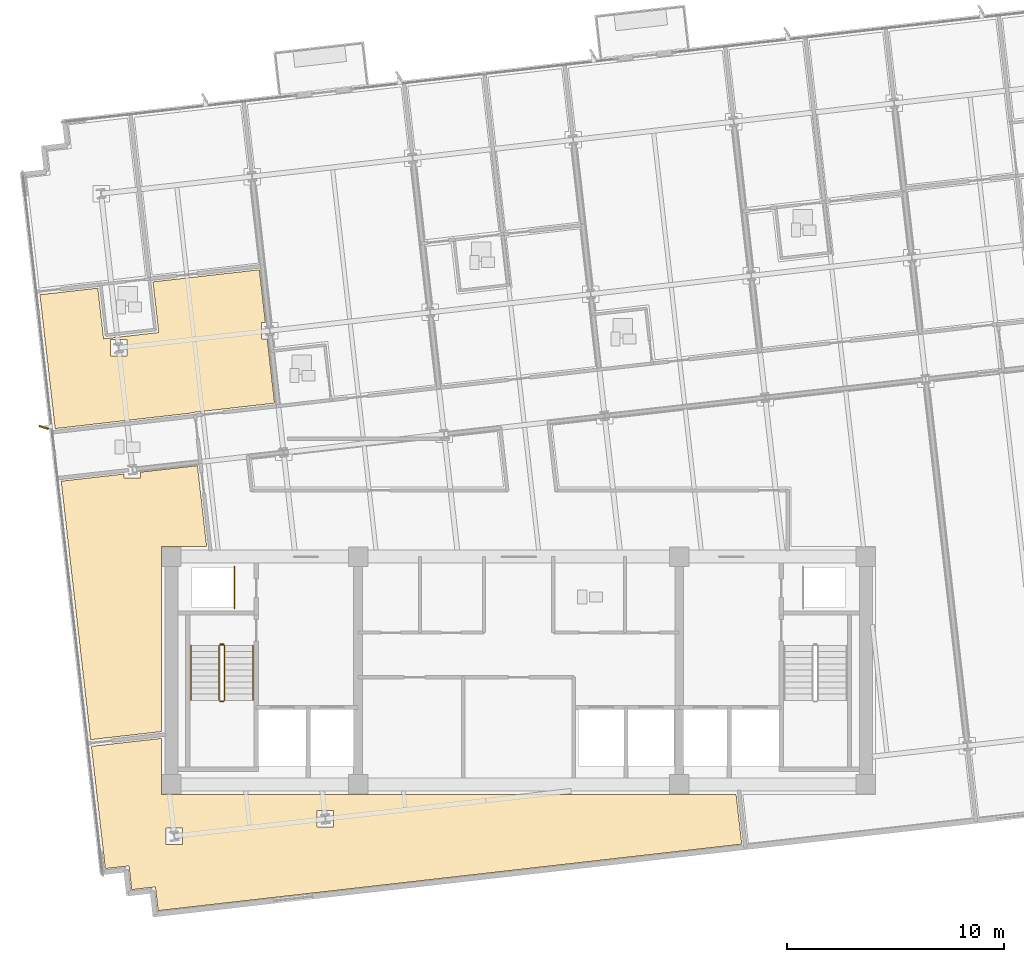
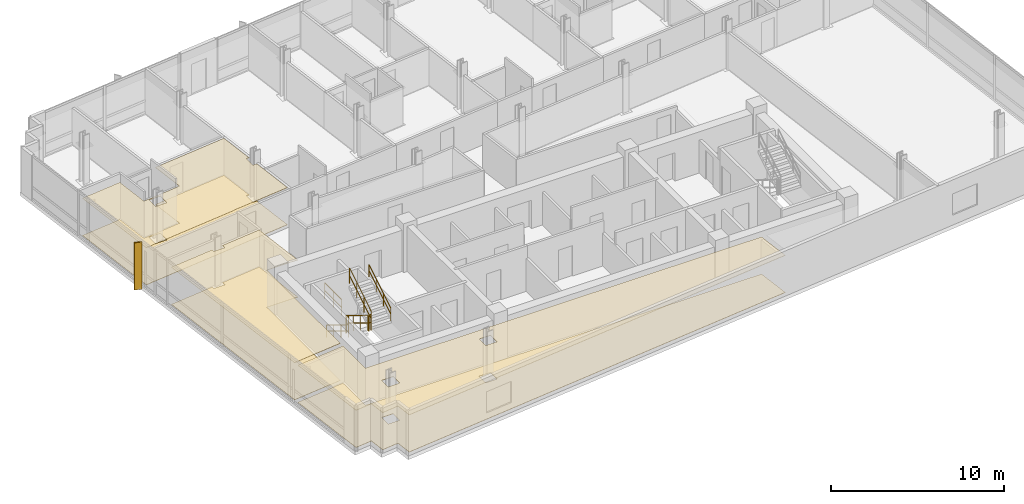
# One storey, part 13 of 17: 7 railings, 6 coverings, 1 shading device.
"""IFC4 building model written with IfcOpenShell, lengths in metres."""

from ifc_helpers import new_model, si_unit, direction, frame, origin, origin_2d, place, context, subcontext, project, spatial, polyline, rectangle, circle, outline, extrude, material, layer, layer_set, type_object, element, save


model = new_model("IFC4")

# Units and contexts
model_context = context("Model", 3, precision=1e-05, world=origin(), true_north=direction((0.0, 1.0)))
body_context = subcontext(model_context, "Body", "Model", "MODEL_VIEW")
ifc_project = project(units=[si_unit("LENGTHUNIT", "METRE"), si_unit("AREAUNIT", "SQUARE_METRE"), si_unit("VOLUMEUNIT", "CUBIC_METRE"), si_unit("PLANEANGLEUNIT", "RADIAN"), si_unit("MASSUNIT", "GRAM", prefix="KILO")], contexts=[model_context])

# Site, building, storey
site_placement = place(None, origin())
site = spatial("IfcSite", under=ifc_project, at=site_placement, CompositionType="ELEMENT")
building_placement = place(site_placement, origin())
building = spatial("IfcBuilding", under=site, at=building_placement, Name="Solmavex Isthmus Hotel", CompositionType="ELEMENT")
storey_placement = place(building_placement, frame((0.0, 0.0, 202.050048828125)))
storey = spatial("IfcBuildingStorey", under=building, at=storey_placement, Name="L54", CompositionType="ELEMENT", Elevation=202.050048828125)

# Coverings
ifc_material_1 = material(Name="Gypsum plasterboard lining", Category="gypsum")
ifc_layer_1 = layer(ifc_material_1, 0.030029296875)
ifc_layer_set_1 = layer_set([ifc_layer_1], Name="Gypsum plasterboard lining")
covering_type_1 = type_object("IfcCoveringType", Name="COV-CEIL-GYP", PredefinedType="CEILING", material=ifc_layer_set_1)
covering_1_placement = place(storey_placement, frame((0.0, 0.0, 2.619873046875)))
element("IfcCovering", 1, at=covering_1_placement, inside=storey, type_object=covering_type_1, Name="Suspended Acoustic Ceiling L54-SH01-LV", PredefinedType="CEILING", context=body_context, shape_type="SweptSolid", body=[
    extrude(outline(polyline([(-15.079833984375, 4.11669921875), (-15.08203125, 4.136474609375), (-11.2490234375, 4.5732421875), (-11.586181640625, 7.532470703125), (-11.853271484375, 7.532470703125), (-11.853271484375, 8.29248046875), (-11.672607421875, 8.29248046875), (-11.949462890625, 10.721435546875), (-16.851806640625, 10.1630859375), (-16.585693359375, 7.828125), (-19.129150390625, 7.538330078125), (-19.395263671875, 9.873291015625), (-22.06201171875, 9.5693359375), (-21.359130859375, 3.4013671875), (-15.079833984375, 4.11669921875)]), holes=[polyline([(-18.81640625, 6.739013671875), (-18.81640625, 7.4990234375), (-18.056396484375, 7.4990234375), (-18.056396484375, 6.739013671875), (-18.81640625, 6.739013671875)])]), origin(), (0.0, 0.0, 1.0), 0.030029296875),
])
covering_2_placement = place(storey_placement, frame((0.0, 0.0, 2.619873046875)))
element("IfcCovering", 2, at=covering_2_placement, inside=storey, type_object=covering_type_1, Name="Suspended Acoustic Ceiling L54-FL10", PredefinedType="CEILING", context=body_context, shape_type="SweptSolid", body=[
    extrude(outline(polyline([(-17.4169921875, 1.39453125), (-17.4169921875, 1.12744140625), (-18.177001953125, 1.12744140625), (-18.177001953125, 1.30810546875), (-21.0830078125, 0.97705078125), (-20.41015625, -4.929931640625), (-19.725830078125, -10.93603515625), (-16.455078125, -10.563232421875), (-16.455078125, -2.044921875), (-14.3779296875, -2.044921875), (-14.8037109375, 1.6923828125), (-17.4169921875, 1.39453125)])), origin(), (0.0, 0.0, 1.0), 0.030029296875),
])
covering_3_placement = place(storey_placement, frame((0.0, 0.0, 2.619873046875)))
element("IfcCovering", 3, at=covering_3_placement, inside=storey, type_object=covering_type_1, Name="Suspended Acoustic Ceiling L54-FL11", PredefinedType="CEILING", context=body_context, shape_type="SweptSolid", body=[
    extrude(outline(polyline([(-8.533203125, -17.8935546875), (10.2822265625, -15.75), (10.245361328125, -15.427001953125), (10.020751953125, -13.455078125), (-16.455078125, -13.455078125), (-16.455078125, -10.875244140625), (-19.690673828125, -11.243896484375), (-19.14208984375, -16.057861328125), (-19.048828125, -16.87744140625), (-17.955810546875, -16.7529296875), (-17.831298828125, -17.845947265625), (-16.73828125, -17.721435546875), (-16.61376953125, -18.814453125), (-15.794189453125, -18.720947265625), (-8.533203125, -17.8935546875)]), holes=[polyline([(-9.28955078125, -14.969970703125), (-9.28955078125, -14.2099609375), (-8.529541015625, -14.2099609375), (-8.529541015625, -14.969970703125), (-9.28955078125, -14.969970703125)]), polyline([(-16.25244140625, -15.763427734375), (-16.25244140625, -15.00341796875), (-15.492431640625, -15.00341796875), (-15.492431640625, -15.763427734375), (-16.25244140625, -15.763427734375)])]), origin(), (0.0, 0.0, 1.0), 0.030029296875),
])
ifc_material_2 = material(Name="Travertine natural stone", Category="masonry")
ifc_layer_2 = layer(ifc_material_2, 0.02490234375)
ifc_layer_set_2 = layer_set([ifc_layer_2], Name="Travertine natural stone")
covering_type_2 = type_object("IfcCoveringType", Name="COV-FLOR-STN", PredefinedType="FLOORING", material=ifc_layer_set_2)
covering_4_placement = place(storey_placement, origin())
element("IfcCovering", 4, at=covering_4_placement, inside=storey, type_object=covering_type_2, Name="Stone and Timber Floor Finish L54-SH01-LV", PredefinedType="FLOORING", context=body_context, shape_type="SweptSolid", body=[
    extrude(outline(polyline([(-15.079833984375, 4.11669921875), (-15.08203125, 4.136474609375), (-11.2490234375, 4.5732421875), (-11.586181640625, 7.532470703125), (-11.853271484375, 7.532470703125), (-11.853271484375, 8.29248046875), (-11.672607421875, 8.29248046875), (-11.949462890625, 10.721435546875), (-16.851806640625, 10.1630859375), (-16.585693359375, 7.828125), (-19.129150390625, 7.538330078125), (-19.395263671875, 9.873291015625), (-22.06201171875, 9.5693359375), (-21.359130859375, 3.4013671875), (-15.079833984375, 4.11669921875)]), holes=[polyline([(-18.81640625, 6.739013671875), (-18.81640625, 7.4990234375), (-18.056396484375, 7.4990234375), (-18.056396484375, 6.739013671875), (-18.81640625, 6.739013671875)])]), origin(), (0.0, 0.0, 1.0), 0.02490234375),
])
covering_5_placement = place(storey_placement, origin())
element("IfcCovering", 5, at=covering_5_placement, inside=storey, type_object=covering_type_2, Name="Stone and Timber Floor Finish L54-FL10", PredefinedType="FLOORING", context=body_context, shape_type="SweptSolid", body=[
    extrude(outline(polyline([(-17.4169921875, 1.39453125), (-17.4169921875, 1.12744140625), (-18.177001953125, 1.12744140625), (-18.177001953125, 1.30810546875), (-21.0830078125, 0.97705078125), (-20.41015625, -4.929931640625), (-19.725830078125, -10.93603515625), (-16.455078125, -10.563232421875), (-16.455078125, -2.044921875), (-14.3779296875, -2.044921875), (-14.8037109375, 1.6923828125), (-17.4169921875, 1.39453125)])), origin(), (0.0, 0.0, 1.0), 0.02490234375),
])
covering_6_placement = place(storey_placement, origin())
element("IfcCovering", 6, at=covering_6_placement, inside=storey, type_object=covering_type_2, Name="Stone and Timber Floor Finish L54-FL11", PredefinedType="FLOORING", context=body_context, shape_type="SweptSolid", body=[
    extrude(outline(polyline([(-8.533203125, -17.8935546875), (10.2822265625, -15.75), (10.245361328125, -15.427001953125), (10.020751953125, -13.455078125), (-16.455078125, -13.455078125), (-16.455078125, -10.875244140625), (-19.690673828125, -11.243896484375), (-19.14208984375, -16.057861328125), (-19.048828125, -16.87744140625), (-17.955810546875, -16.7529296875), (-17.831298828125, -17.845947265625), (-16.73828125, -17.721435546875), (-16.61376953125, -18.814453125), (-15.794189453125, -18.720947265625), (-8.533203125, -17.8935546875)]), holes=[polyline([(-9.28955078125, -14.969970703125), (-9.28955078125, -14.2099609375), (-8.529541015625, -14.2099609375), (-8.529541015625, -14.969970703125), (-9.28955078125, -14.969970703125)]), polyline([(-16.25244140625, -15.763427734375), (-16.25244140625, -15.00341796875), (-15.492431640625, -15.00341796875), (-15.492431640625, -15.763427734375), (-16.25244140625, -15.763427734375)])]), origin(), (0.0, 0.0, 1.0), 0.02490234375),
])

# Railings
ifc_material_3 = material(Name="Clear low-E laminated glass", Category="glass")
ifc_layer_3 = layer(ifc_material_3, 0.080078125)
ifc_layer_set_3 = layer_set([ifc_layer_3], Name="Clear low-E laminated glass")
railing_type_1 = type_object("IfcRailingType", Name="RAIL-ATRIUM-1120", PredefinedType="BALUSTRADE", material=ifc_layer_set_3)
railing_1_placement = place(storey_placement, frame((-13.10009765625, -4.89990234375, 0.0)))
element("IfcRailing", 7, at=railing_1_placement, inside=storey, type_object=railing_type_1, Name="Guardrail Balustrade L54-RSW-01", PredefinedType="BALUSTRADE", context=body_context, shape_type="SweptSolid", body=[
    extrude(circle(Radius=0.02392578125, at=origin_2d()), frame((0.0, 0.0, 1.1259765625), z_axis=(0.0, 1.0, 0.0), x_axis=(-1.0, 0.0, 0.0)), (0.0, 0.0, 1.0), 1.949951171875),
    extrude(circle(Radius=0.02392578125, at=origin_2d()), frame((0.0, 0.0, 0.574951171875), z_axis=(0.0, 1.0, 0.0), x_axis=(-1.0, 0.0, 0.0)), (0.0, 0.0, 1.0), 1.949951171875),
    extrude(circle(Radius=0.02099609375, at=origin_2d()), origin(), (0.0, 0.0, 1.0), 1.101806640625),
    extrude(circle(Radius=0.02099609375, at=origin_2d()), frame((0.0, 0.97509765625, 0.0)), (0.0, 0.0, 1.0), 1.101806640625),
    extrude(circle(Radius=0.02099609375, at=origin_2d()), frame((0.0, 1.949951171875, 0.0)), (0.0, 0.0, 1.0), 1.101806640625),
])
ifc_material_4 = material(Name="Stainless steel 316", Category="steel")
ifc_layer_4 = layer(ifc_material_4, 0.06005859375)
ifc_layer_set_4 = layer_set([ifc_layer_4], Name="Stainless steel 316")
railing_type_2 = type_object("IfcRailingType", Name="RAIL-STAIR-GD", PredefinedType="GUARDRAIL", material=ifc_layer_set_4)
railing_2_placement = place(storey_placement, frame((-13.800048828125, -6.60009765625, 0.17236328125)))
element("IfcRailing", 8, at=railing_2_placement, inside=storey, type_object=railing_type_2, Name="L54 ST-1 stair guard 1", PredefinedType="GUARDRAIL", context=body_context, shape_type="SweptSolid", body=[
    extrude(circle(Radius=0.02392578125, at=origin_2d()), frame((0.0, 0.0, 1.09619140625), z_axis=(0.0, -0.851400495292, 0.524516154772), x_axis=(1.0, 0.0, 0.0)), (0.0, 0.0, 1.0), 2.9599609375),
    extrude(circle(Radius=0.02392578125, at=origin_2d()), frame((0.0, 0.0, 0.56005859375), z_axis=(0.0, -0.851400495292, 0.524516154772), x_axis=(1.0, 0.0, 0.0)), (0.0, 0.0, 1.0), 2.9599609375),
    extrude(circle(Radius=0.02099609375, at=origin_2d()), origin(), (0.0, 0.0, 1.0), 1.072021484375),
    extrude(circle(Radius=0.02099609375, at=origin_2d()), frame((0.0, -0.840087890625, 0.517578125)), (0.0, 0.0, 1.0), 1.072021484375),
    extrude(circle(Radius=0.02099609375, at=origin_2d()), frame((0.0, -1.679931640625, 1.034912109375)), (0.0, 0.0, 1.0), 1.072021484375),
    extrude(circle(Radius=0.02099609375, at=origin_2d()), frame((0.0, -2.52001953125, 1.552490234375)), (0.0, 0.0, 1.0), 1.072021484375),
])
railing_3_placement = place(storey_placement, frame((-13.75, -9.169921875, 1.724853515625)))
element("IfcRailing", 9, at=railing_3_placement, inside=storey, type_object=railing_type_2, Name="L54 ST-1 stair guard 2", PredefinedType="GUARDRAIL", context=body_context, shape_type="SweptSolid", body=[
    extrude(circle(Radius=0.02392578125, at=origin_2d()), frame((0.0, 0.0, 1.09619140625), z_axis=(1.0, 0.0, 0.0), x_axis=(0.0, 1.0, 0.0)), (0.0, 0.0, 1.0), 0.14990234375),
    extrude(circle(Radius=0.02392578125, at=origin_2d()), frame((0.0, 0.0, 0.56005859375), z_axis=(1.0, 0.0, 0.0), x_axis=(0.0, 1.0, 0.0)), (0.0, 0.0, 1.0), 0.14990234375),
    extrude(circle(Radius=0.02099609375, at=origin_2d()), origin(), (0.0, 0.0, 1.0), 1.072021484375),
    extrude(circle(Radius=0.02099609375, at=origin_2d()), frame((0.14990234375, 0.0, 0.0)), (0.0, 0.0, 1.0), 1.072021484375),
])
railing_4_placement = place(storey_placement, frame((-13.550048828125, -9.1201171875, 1.8974609375)))
element("IfcRailing", 10, at=railing_4_placement, inside=storey, type_object=railing_type_2, Name="L54 ST-1 stair guard 3", PredefinedType="GUARDRAIL", context=body_context, shape_type="SweptSolid", body=[
    extrude(circle(Radius=0.02392578125, at=origin_2d()), frame((0.0, 0.0, 1.09619140625), z_axis=(0.0, 0.851400495292, 0.524516154772), x_axis=(-1.0, 0.0, 0.0)), (0.0, 0.0, 1.0), 2.9599609375),
    extrude(circle(Radius=0.02392578125, at=origin_2d()), frame((0.0, 0.0, 0.56005859375), z_axis=(0.0, 0.851400495292, 0.524516154772), x_axis=(-1.0, 0.0, 0.0)), (0.0, 0.0, 1.0), 2.9599609375),
    extrude(circle(Radius=0.02099609375, at=origin_2d()), origin(), (0.0, 0.0, 1.0), 1.072021484375),
    extrude(circle(Radius=0.02099609375, at=origin_2d()), frame((0.0, 0.840087890625, 0.517578125)), (0.0, 0.0, 1.0), 1.072021484375),
    extrude(circle(Radius=0.02099609375, at=origin_2d()), frame((0.0, 1.679931640625, 1.034912109375)), (0.0, 0.0, 1.0), 1.072021484375),
    extrude(circle(Radius=0.02099609375, at=origin_2d()), frame((0.0, 2.52001953125, 1.552490234375)), (0.0, 0.0, 1.0), 1.072021484375),
])
railing_5_placement = place(storey_placement, frame((-13.75, -6.550048828125, 0.0)))
element("IfcRailing", 11, at=railing_5_placement, inside=storey, type_object=railing_type_2, Name="L54 ST-1 stair guard 4", PredefinedType="GUARDRAIL", context=body_context, shape_type="SweptSolid", body=[
    extrude(circle(Radius=0.02392578125, at=origin_2d()), frame((0.0, 0.0, 1.09619140625), z_axis=(1.0, 0.0, 0.0), x_axis=(0.0, 1.0, 0.0)), (0.0, 0.0, 1.0), 0.14990234375),
    extrude(circle(Radius=0.02392578125, at=origin_2d()), frame((0.0, 0.0, 0.56005859375), z_axis=(1.0, 0.0, 0.0), x_axis=(0.0, 1.0, 0.0)), (0.0, 0.0, 1.0), 0.14990234375),
    extrude(circle(Radius=0.02099609375, at=origin_2d()), origin(), (0.0, 0.0, 1.0), 1.072021484375),
    extrude(circle(Radius=0.02099609375, at=origin_2d()), frame((0.14990234375, 0.0, 0.0)), (0.0, 0.0, 1.0), 1.072021484375),
])
ifc_layer_5 = layer(ifc_material_4, 0.050048828125)
ifc_layer_set_5 = layer_set([ifc_layer_5], Name="Stainless steel 316")
railing_type_3 = type_object("IfcRailingType", Name="RAIL-STAIR-HR", PredefinedType="HANDRAIL", material=ifc_layer_set_5)
railing_6_placement = place(storey_placement, frame((-15.10009765625, -6.60009765625, 0.17236328125)))
element("IfcRailing", 12, at=railing_6_placement, inside=storey, type_object=railing_type_3, Name="L54 ST-1 stair handrail 1", PredefinedType="HANDRAIL", context=body_context, shape_type="SweptSolid", body=[
    extrude(circle(Radius=0.02392578125, at=origin_2d()), frame((0.0, 0.0, 0.8759765625), z_axis=(0.0, -0.851400495292, 0.524516154772), x_axis=(1.0, 0.0, 0.0)), (0.0, 0.0, 1.0), 2.9599609375),
    extrude(circle(Radius=0.02392578125, at=origin_2d()), frame((0.0, 0.0, 0.449951171875), z_axis=(0.0, -0.851400495292, 0.524516154772), x_axis=(1.0, 0.0, 0.0)), (0.0, 0.0, 1.0), 2.9599609375),
    extrude(circle(Radius=0.02099609375, at=origin_2d()), origin(), (0.0, 0.0, 1.0), 0.851806640625),
    extrude(circle(Radius=0.02099609375, at=origin_2d()), frame((0.0, -0.840087890625, 0.517578125)), (0.0, 0.0, 1.0), 0.851806640625),
    extrude(circle(Radius=0.02099609375, at=origin_2d()), frame((0.0, -1.679931640625, 1.034912109375)), (0.0, 0.0, 1.0), 0.851806640625),
    extrude(circle(Radius=0.02099609375, at=origin_2d()), frame((0.0, -2.52001953125, 1.552490234375)), (0.0, 0.0, 1.0), 0.851806640625),
])
railing_7_placement = place(storey_placement, frame((-12.25, -9.1201171875, 1.8974609375)))
element("IfcRailing", 13, at=railing_7_placement, inside=storey, type_object=railing_type_3, Name="L54 ST-1 stair handrail 2", PredefinedType="HANDRAIL", context=body_context, shape_type="SweptSolid", body=[
    extrude(circle(Radius=0.02392578125, at=origin_2d()), frame((0.0, 0.0, 0.8759765625), z_axis=(0.0, 0.851400495292, 0.524516154772), x_axis=(-1.0, 0.0, 0.0)), (0.0, 0.0, 1.0), 2.9599609375),
    extrude(circle(Radius=0.02392578125, at=origin_2d()), frame((0.0, 0.0, 0.449951171875), z_axis=(0.0, 0.851400495292, 0.524516154772), x_axis=(-1.0, 0.0, 0.0)), (0.0, 0.0, 1.0), 2.9599609375),
    extrude(circle(Radius=0.02099609375, at=origin_2d()), origin(), (0.0, 0.0, 1.0), 0.851806640625),
    extrude(circle(Radius=0.02099609375, at=origin_2d()), frame((0.0, 0.840087890625, 0.517578125)), (0.0, 0.0, 1.0), 0.851806640625),
    extrude(circle(Radius=0.02099609375, at=origin_2d()), frame((0.0, 1.679931640625, 1.034912109375)), (0.0, 0.0, 1.0), 0.851806640625),
    extrude(circle(Radius=0.02099609375, at=origin_2d()), frame((0.0, 2.52001953125, 1.552490234375)), (0.0, 0.0, 1.0), 0.851806640625),
])

# Shading device
ifc_material_5 = material(Name="Aluminium alloy 6063-T6", Category="aluminium")
shading_device_type = type_object("IfcShadingDeviceType", Name="SHD-FIN-BRONZE", PredefinedType="USERDEFINED", material=ifc_material_5)
shading_device_placement = place(storey_placement, frame((-21.884033203125, 3.457275390625, -0.14013671875), z_axis=(0.0, 0.0, 1.0), x_axis=(-0.953716950748, 0.300705799504, 0.0)))
element("IfcShadingDevice", 14, at=shading_device_placement, inside=storey, type_object=shading_device_type, Name="Anodised Aluminium Solar Fin L54-W1", ObjectType="SOLAR_FIN", PredefinedType="USERDEFINED", context=body_context, shape_type="SweptSolid", body=[
    extrude(rectangle(XDim=0.449951171875, YDim=0.080078125, at=origin_2d()), origin(), (0.0, 0.0, 1.0), 3.330078125),
])

save(model, "model.ifc")
